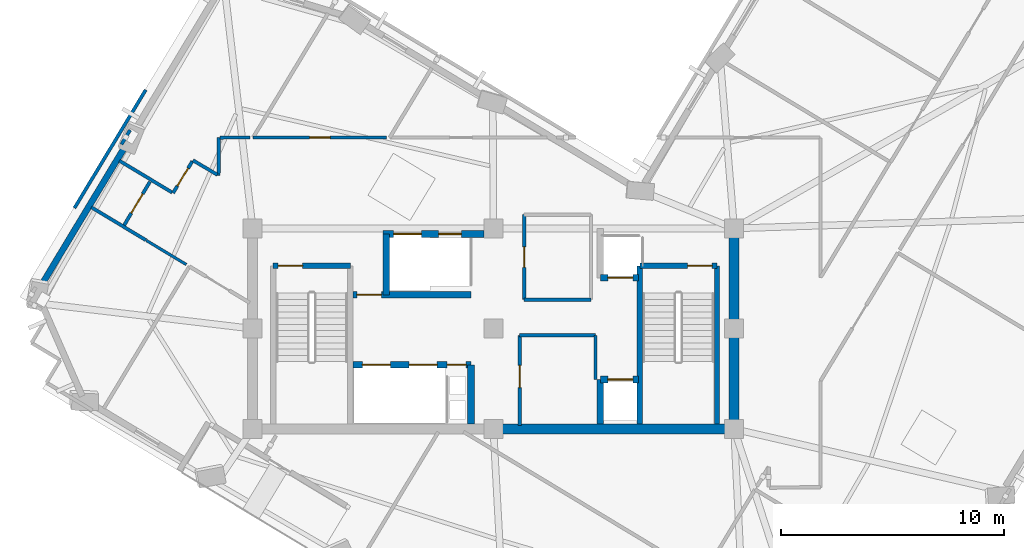
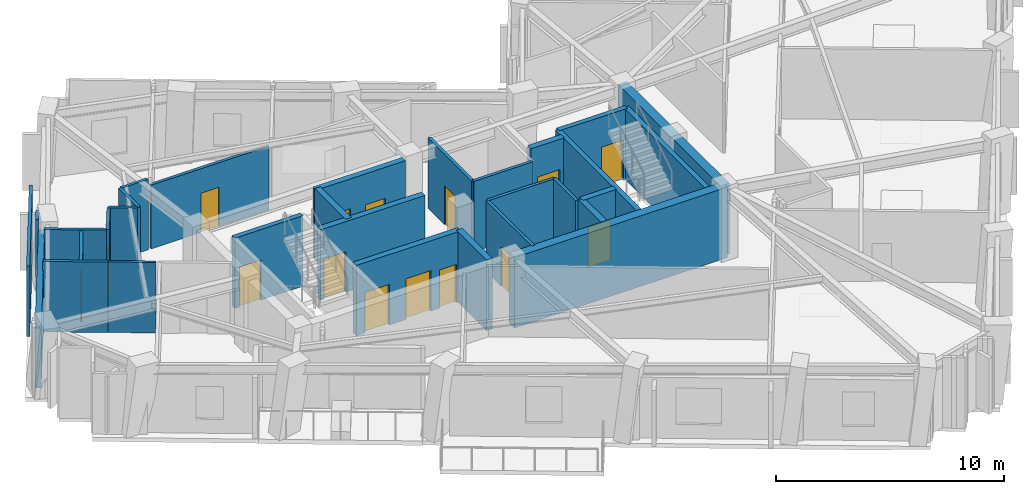
# One storey, part 5 of 12: 31 walls, 15 doors, 15 openings.
"""IFC4 building model written with IfcOpenShell, lengths in metres."""

from ifc_helpers import new_model, si_unit, direction, frame, frame_2d, origin, place, context, subcontext, project, spatial, rectangle, extrude, material, layer, layer_set, type_object, element, fill, save


model = new_model("IFC4")

# Units and contexts
model_context = context("Model", 3, precision=1e-05, world=origin(), true_north=direction((0.0, 1.0)))
body_context = subcontext(model_context, "Body", "Model", "MODEL_VIEW")
ifc_project = project(units=[si_unit("LENGTHUNIT", "METRE"), si_unit("AREAUNIT", "SQUARE_METRE"), si_unit("VOLUMEUNIT", "CUBIC_METRE"), si_unit("PLANEANGLEUNIT", "RADIAN"), si_unit("MASSUNIT", "GRAM", prefix="KILO")], contexts=[model_context])

# Site, building, storey
site_placement = place(None, origin())
site = spatial("IfcSite", under=ifc_project, at=site_placement, CompositionType="ELEMENT")
building_placement = place(site_placement, origin())
building = spatial("IfcBuilding", under=site, at=building_placement, Name="Gaonmaruhae Medical Tower", CompositionType="ELEMENT")
storey_placement = place(building_placement, frame((0.0, 0.0, 276.60009765625)))
storey = spatial("IfcBuildingStorey", under=building, at=storey_placement, Name="L66", CompositionType="ELEMENT", Elevation=276.60009765625)

# Walls
ifc_material_1 = material(Name="Concrete C50/60", Category="concrete")
ifc_layer_1 = layer(ifc_material_1, 0.449951171875)
ifc_layer_set_1 = layer_set([ifc_layer_1], Name="Concrete C50/60")
wall_type_1 = type_object("IfcWallType", Name="CW-450 Upper Core Shear Wall", PredefinedType="SHEAR", material=ifc_layer_set_1)
wall_1_placement = place(storey_placement, frame((24.800048828125, 7.800048828125, 0.0), z_axis=(0.0, 0.0, 1.0), x_axis=(1.0, 0.0, 0.0)))
element("IfcWall", 1, at=wall_1_placement, inside=storey, type_object=wall_type_1, Name="L66 Core Shear Wall CSW-S2", PredefinedType="SHEAR", context=body_context, shape_type="SweptSolid", body=[
    extrude(rectangle(XDim=10.800048828125, YDim=0.449951171875, at=frame_2d((5.39990234375, 0.0))), origin(), (0.0, 0.0, 1.0), 3.77978515625),
])
wall_2_placement = place(storey_placement, frame((35.60009765625, 7.800048828125, 0.0), z_axis=(0.0, 0.0, 1.0), x_axis=(0.0, 1.0, 0.0)))
element("IfcWall", 2, at=wall_2_placement, inside=storey, type_object=wall_type_1, Name="L66 Core Shear Wall CSW-E1", PredefinedType="SHEAR", context=body_context, shape_type="SweptSolid", body=[
    extrude(rectangle(XDim=9.0, YDim=0.449951171875, at=frame_2d((4.5, 0.0))), origin(), (0.0, 0.0, 1.0), 3.77978515625),
])
ifc_material_2 = material(Name="Precast concrete C45/55", Category="concrete")
ifc_layer_2 = layer(ifc_material_2, 0.280029296875)
ifc_layer_set_2 = layer_set([ifc_layer_2], Name="Precast concrete C45/55")
wall_type_2 = type_object("IfcWallType", Name="EW-280 Upper Precast Masonry-Frame Facade Wall", PredefinedType="SOLIDWALL", material=ifc_layer_set_2)
wall_3_placement = place(storey_placement, frame((4.41015625, 14.06640625, 0.0), z_axis=(0.0, 0.0, 1.0), x_axis=(0.516542521572, 0.856261539138, 0.0)))
element("IfcWall", 3, at=wall_3_placement, inside=storey, type_object=wall_type_2, Name="L66 Precast Masonry-Frame Wall N02-N03", PredefinedType="SOLIDWALL", context=body_context, shape_type="SweptSolid", body=[
    extrude(rectangle(XDim=7.48486328125, YDim=0.280029296875, at=frame_2d((3.742431640625, 0.0))), origin(), (0.0, 0.0, 1.0), 3.264892578125),
])
ifc_material_3 = material(Name="Gypsum board partition", Category="gypsum")
ifc_layer_3 = layer(ifc_material_3, 0.125)
ifc_layer_set_3 = layer_set([ifc_layer_3], Name="Gypsum board partition")
wall_type_3 = type_object("IfcWallType", Name="PW-125 Ward & En-Suite Acoustic Partition", PredefinedType="PARTITIONING", material=ifc_layer_set_3)
wall_4_placement = place(storey_placement, frame((9.22705078125, 16.261962890625, 0.0), z_axis=(0.0, 0.0, 1.0), x_axis=(0.856382731236, -0.516341570707, 0.0)))
element("IfcWall", 4, at=wall_4_placement, inside=storey, type_object=wall_type_3, Name="L66 Interior Partition L66-ENS01-52", PredefinedType="PARTITIONING", context=body_context, shape_type="SweptSolid", body=[
    extrude(rectangle(XDim=2.099365234375, YDim=0.125, at=frame_2d((1.0498046875, 0.0))), origin(), (0.0, 0.0, 1.0), 3.77978515625),
])

# Wall, opening, door
ifc_layer_4 = layer(ifc_material_3, 0.14990234375)
ifc_layer_set_4 = layer_set([ifc_layer_4], Name="Gypsum board partition")
wall_type_4 = type_object("IfcWallType", Name="PW-150 Rated Clinical Corridor Partition", PredefinedType="PARTITIONING", material=ifc_layer_set_4)
wall_5_placement = place(storey_placement, frame((25.97998046875, 7.9599609375, 0.0), z_axis=(0.0, 0.0, 1.0), x_axis=(0.0, 1.0, 0.0)))
wall_5 = element("IfcWall", 5, at=wall_5_placement, inside=storey, type_object=wall_type_4, Name="L66 Interior Partition L66-RCL1-1", PredefinedType="PARTITIONING", context=body_context, shape_type="SweptSolid", body=[
    extrude(rectangle(XDim=4.0400390625, YDim=0.14990234375, at=frame_2d((2.02001953125, 0.0))), origin(), (0.0, 0.0, 1.0), 3.77978515625),
])
opening_1_placement = place(wall_5_placement, frame((1.695068359375, 0.0, 0.0)))
opening_1 = element("IfcOpeningElement", 6, at=opening_1_placement, cuts=wall_5, Name="Opening CD-01", PredefinedType="OPENING", context=body_context, shape_type="SweptSolid", body=[
    extrude(rectangle(XDim=1.0, YDim=2.1201171875, at=frame_2d((0.5, 1.06005859375))), frame((0.0, 0.0849609375, 0.0), z_axis=(0.0, -1.0, 0.0), x_axis=(1.0, 0.0, 0.0)), (0.0, 0.0, 1.0), 0.169921875),
])
ifc_material_4 = material(Name="Antimicrobial laminate timber fire door", Category="wood")
door_type_1 = type_object("IfcDoorType", Name="CD-01 Consultation & Physician Office Door 1000x2120", OperationType="NOTDEFINED", PredefinedType="DOOR", material=ifc_material_4)
door_1_placement = place(opening_1_placement, origin())
door_1 = element("IfcDoor", 7, at=door_1_placement, inside=storey, type_object=door_type_1, Name="L66 Clinical Telemetry and Medication Room Door", OperationType="SINGLE_SWING_LEFT", OverallHeight=2.1201171875, OverallWidth=1.0, PredefinedType="DOOR", context=body_context, shape_type="SweptSolid", body=[
    extrude(rectangle(XDim=1.0, YDim=2.1201171875, at=frame_2d((0.5, 1.06005859375))), frame((0.0, 0.02490234375, 0.0), z_axis=(0.0, -1.0, 0.0), x_axis=(1.0, 0.0, 0.0)), (0.0, 0.0, 1.0), 0.050048828125),
])
fill(opening_1, door_1)

# Walls
wall_6_placement = place(storey_placement, frame((25.97998046875, 12.0, 0.0), z_axis=(0.0, 0.0, 1.0), x_axis=(1.0, 0.0, 0.0)))
element("IfcWall", 8, at=wall_6_placement, inside=storey, type_object=wall_type_4, Name="L66 Interior Partition L66-RCL1-2", PredefinedType="PARTITIONING", context=body_context, shape_type="SweptSolid", body=[
    extrude(rectangle(XDim=3.39990234375, YDim=0.14990234375, at=frame_2d((1.699951171875, 0.0))), origin(), (0.0, 0.0, 1.0), 3.77978515625),
])
wall_7_placement = place(storey_placement, frame((29.3798828125, 12.0, 0.0), z_axis=(0.0, 0.0, 1.0), x_axis=(0.0, -1.0, 0.0)))
element("IfcWall", 9, at=wall_7_placement, inside=storey, type_object=wall_type_4, Name="L66 Interior Partition L66-RCL1-3", PredefinedType="PARTITIONING", context=body_context, shape_type="SweptSolid", body=[
    extrude(rectangle(XDim=1.97998046875, YDim=0.14990234375, at=frame_2d((0.989990234375, 0.0))), origin(), (0.0, 0.0, 1.0), 3.77978515625),
])

# Wall, opening, door
wall_8_placement = place(storey_placement, frame((26.179931640625, 13.60009765625, 0.0), z_axis=(0.0, 0.0, 1.0), x_axis=(0.0, 1.0, 0.0)))
wall_8 = element("IfcWall", 10, at=wall_8_placement, inside=storey, type_object=wall_type_4, Name="L66 Interior Partition L66-RCL2-4", PredefinedType="PARTITIONING", context=body_context, shape_type="SweptSolid", body=[
    extrude(rectangle(XDim=3.81982421875, YDim=0.14990234375, at=frame_2d((1.909912109375, 0.0))), origin(), (0.0, 0.0, 1.0), 3.77978515625),
])
opening_2_placement = place(wall_8_placement, frame((1.449951171875, 0.0, 0.0)))
opening_2 = element("IfcOpeningElement", 11, at=opening_2_placement, cuts=wall_8, Name="Opening UD-01", PredefinedType="OPENING", context=body_context, shape_type="SweptSolid", body=[
    extrude(rectangle(XDim=0.919921875, YDim=2.10009765625, at=frame_2d((0.4599609375, 1.050048828125))), frame((0.0, 0.0849609375, 0.0), z_axis=(0.0, -1.0, 0.0), x_axis=(1.0, 0.0, 0.0)), (0.0, 0.0, 1.0), 0.169921875),
])
ifc_material_5 = material(Name="Powder-coated steel utility door", Category="steel")
door_type_2 = type_object("IfcDoorType", Name="UD-01 Toilet, Utility & Housekeeping Door 920x2100", OperationType="NOTDEFINED", PredefinedType="DOOR", material=ifc_material_5)
door_2_placement = place(opening_2_placement, origin())
door_2 = element("IfcDoor", 12, at=door_2_placement, inside=storey, type_object=door_type_2, Name="L66 Accessible Staff Toilet Door", OperationType="SINGLE_SWING_RIGHT", OverallHeight=2.10009765625, OverallWidth=0.919921875, PredefinedType="DOOR", context=body_context, shape_type="SweptSolid", body=[
    extrude(rectangle(XDim=0.919921875, YDim=2.10009765625, at=frame_2d((0.4599609375, 1.050048828125))), frame((0.0, 0.02490234375, 0.0), z_axis=(0.0, -1.0, 0.0), x_axis=(1.0, 0.0, 0.0)), (0.0, 0.0, 1.0), 0.050048828125),
])
fill(opening_2, door_2)

# Walls
wall_9_placement = place(storey_placement, frame((29.179931640625, 13.60009765625, 0.0), z_axis=(0.0, 0.0, 1.0), x_axis=(-1.0, 0.0, 0.0)))
element("IfcWall", 13, at=wall_9_placement, inside=storey, type_object=wall_type_4, Name="L66 Interior Partition L66-RCL2-7", PredefinedType="PARTITIONING", context=body_context, shape_type="SweptSolid", body=[
    extrude(rectangle(XDim=3.0, YDim=0.14990234375, at=frame_2d((1.5, 0.0))), origin(), (0.0, 0.0, 1.0), 3.77978515625),
])
wall_10_placement = place(storey_placement, frame((6.764892578125, 17.748046875, 0.0), z_axis=(0.0, 0.0, 1.0), x_axis=(0.856245690324, -0.516568792904, 0.0)))
element("IfcWall", 14, at=wall_10_placement, inside=storey, type_object=wall_type_4, Name="L66 Interior Partition L66-BR01-45", PredefinedType="PARTITIONING", context=body_context, shape_type="SweptSolid", body=[
    extrude(rectangle(XDim=2.85546875, YDim=0.14990234375, at=frame_2d((1.427734375, 0.0))), origin(), (0.0, 0.0, 1.0), 3.77978515625),
])

# Wall, opening, door
wall_11_placement = place(storey_placement, frame((20.011962890625, 20.8798828125, 0.0), z_axis=(0.0, 0.0, 1.0), x_axis=(-1.0, 0.0, 0.0)))
wall_11 = element("IfcWall", 15, at=wall_11_placement, inside=storey, type_object=wall_type_4, Name="L66 Interior Partition L66-IN02-64", PredefinedType="PARTITIONING", context=body_context, shape_type="SweptSolid", body=[
    extrude(rectangle(XDim=5.990966796875, YDim=0.14990234375, at=frame_2d((2.99560546875, 0.0))), origin(), (0.0, 0.0, 1.0), 3.414794921875),
])
opening_3_placement = place(wall_11_placement, frame((2.535400390625, 0.0, 0.0)))
opening_3 = element("IfcOpeningElement", 16, at=opening_3_placement, cuts=wall_11, Name="Opening UD-01", PredefinedType="OPENING", context=body_context, shape_type="SweptSolid", body=[
    extrude(rectangle(XDim=0.919921875, YDim=2.10009765625, at=frame_2d((0.4599609375, 1.050048828125))), frame((0.0, 0.0849609375, 0.0), z_axis=(0.0, -1.0, 0.0), x_axis=(1.0, 0.0, 0.0)), (0.0, 0.0, 1.0), 0.169921875),
])
door_3_placement = place(opening_3_placement, origin())
door_3 = element("IfcDoor", 17, at=door_3_placement, inside=storey, type_object=door_type_2, Name="L66 Ward Nutrition Pantry Door", OperationType="SINGLE_SWING_RIGHT", OverallHeight=2.10009765625, OverallWidth=0.919921875, PredefinedType="DOOR", context=body_context, shape_type="SweptSolid", body=[
    extrude(rectangle(XDim=0.919921875, YDim=2.10009765625, at=frame_2d((0.4599609375, 1.050048828125))), frame((0.0, 0.02490234375, 0.0), z_axis=(0.0, -1.0, 0.0), x_axis=(1.0, 0.0, 0.0)), (0.0, 0.0, 1.0), 0.050048828125),
])
fill(opening_3, door_3)

# Walls
wall_12_placement = place(storey_placement, frame((12.48291015625, 20.875, 0.0), z_axis=(0.0, 0.0, 1.0), x_axis=(-0.007615815916, -0.999970999253, 0.0)))
element("IfcWall", 18, at=wall_12_placement, inside=storey, type_object=wall_type_4, Name="L66 Interior Partition L66-IN03-68", PredefinedType="PARTITIONING", context=body_context, shape_type="SweptSolid", body=[
    extrude(rectangle(XDim=1.698974609375, YDim=0.14990234375, at=frame_2d((0.849609375, 0.0))), origin(), (0.0, 0.0, 1.0), 3.77978515625),
])
wall_13_placement = place(storey_placement, frame((12.419921875, 19.205078125, 0.0), z_axis=(0.0, 0.0, 1.0), x_axis=(-0.860397088121, 0.509624225046, 0.0)))
element("IfcWall", 19, at=wall_13_placement, inside=storey, type_object=wall_type_4, Name="L66 Interior Partition L66-IN03-69", PredefinedType="PARTITIONING", context=body_context, shape_type="SweptSolid", body=[
    extrude(rectangle(XDim=1.277099609375, YDim=0.14990234375, at=frame_2d((0.638671875, 0.0))), origin(), (0.0, 0.0, 1.0), 3.77978515625),
])

# Wall, opening, door
wall_14_placement = place(storey_placement, frame((11.294921875, 19.81298828125, 0.0), z_axis=(0.0, 0.0, 1.0), x_axis=(-0.520165097053, -0.854065730379, 0.0)))
wall_14 = element("IfcWall", 20, at=wall_14_placement, inside=storey, type_object=wall_type_4, Name="L66 Interior Partition L66-IN03-70", PredefinedType="PARTITIONING", context=body_context, shape_type="SweptSolid", body=[
    extrude(rectangle(XDim=1.66845703125, YDim=0.14990234375, at=frame_2d((0.834228515625, 0.0))), origin(), (0.0, 0.0, 1.0), 3.77978515625),
])
opening_4_placement = place(wall_14_placement, frame((0.374267578125, 0.0, 0.0)))
opening_4 = element("IfcOpeningElement", 21, at=opening_4_placement, cuts=wall_14, Name="Opening UD-01", PredefinedType="OPENING", context=body_context, shape_type="SweptSolid", body=[
    extrude(rectangle(XDim=0.919921875, YDim=2.10009765625, at=frame_2d((0.4599609375, 1.050048828125))), frame((0.0, 0.0849609375, 0.0), z_axis=(0.0, -1.0, 0.0), x_axis=(1.0, 0.0, 0.0)), (0.0, 0.0, 1.0), 0.169921875),
])
door_4_placement = place(opening_4_placement, origin())
door_4 = element("IfcDoor", 22, at=door_4_placement, inside=storey, type_object=door_type_2, Name="L66 Public Visitor Toilet Door", OperationType="SINGLE_SWING_LEFT", OverallHeight=2.10009765625, OverallWidth=0.919921875, PredefinedType="DOOR", context=body_context, shape_type="SweptSolid", body=[
    extrude(rectangle(XDim=0.919921875, YDim=2.10009765625, at=frame_2d((0.4599609375, 1.050048828125))), frame((0.0, 0.02490234375, 0.0), z_axis=(0.0, -1.0, 0.0), x_axis=(1.0, 0.0, 0.0)), (0.0, 0.0, 1.0), 0.050048828125),
])
fill(opening_4, door_4)

# Walls
wall_15_placement = place(storey_placement, frame((10.384033203125, 18.4140625, 0.0), z_axis=(0.0, 0.0, 1.0), x_axis=(-0.856466725224, 0.516202236128, 0.0)))
element("IfcWall", 23, at=wall_15_placement, inside=storey, type_object=wall_type_4, Name="L66 Interior Partition L66-IN03-71", PredefinedType="PARTITIONING", context=body_context, shape_type="SweptSolid", body=[
    extrude(rectangle(XDim=2.75439453125, YDim=0.14990234375, at=frame_2d((1.377197265625, 0.0))), origin(), (0.0, 0.0, 1.0), 3.77978515625),
])
wall_16_placement = place(storey_placement, frame((8.114013671875, 20.572998046875, 0.0), z_axis=(0.0, 0.0, 1.0), x_axis=(0.515553046822, 0.856857663742, 0.0)))
element("IfcWall", 24, at=wall_16_placement, inside=storey, type_object=wall_type_4, Name="L66 Interior Partition L66-IN03-72", PredefinedType="PARTITIONING", context=body_context, shape_type="SweptSolid", body=[
    extrude(rectangle(XDim=0.746826171875, YDim=0.14990234375, at=frame_2d((0.37353515625, 0.0))), origin(), (0.0, 0.0, 1.0), 3.77978515625),
])
wall_17_placement = place(storey_placement, frame((13.881103515625, 20.8798828125, 0.0), z_axis=(0.0, 0.0, 1.0), x_axis=(-0.999993441071, -0.003621852376, 0.0)))
element("IfcWall", 25, at=wall_17_placement, inside=storey, type_object=wall_type_4, Name="L66 Interior Partition L66-IN03-77", PredefinedType="PARTITIONING", context=body_context, shape_type="SweptSolid", body=[
    extrude(rectangle(XDim=1.34814453125, YDim=0.14990234375, at=frame_2d((0.674072265625, 0.0))), origin(), (0.0, 0.0, 1.0), 3.77978515625),
])

# Wall, opening, door
wall_18_placement = place(storey_placement, frame((9.39111328125, 18.89599609375, 0.0), z_axis=(0.0, 0.0, 1.0), x_axis=(-0.509769928001, -0.860310769726, 0.0)))
wall_18 = element("IfcWall", 26, at=wall_18_placement, inside=storey, type_object=wall_type_4, Name="L66 Interior Partition L66-RM02-79", PredefinedType="PARTITIONING", context=body_context, shape_type="SweptSolid", body=[
    extrude(rectangle(XDim=2.267822265625, YDim=0.14990234375, at=frame_2d((1.1337890625, 0.0))), origin(), (0.0, 0.0, 1.0), 3.77978515625),
])
opening_5_placement = place(wall_18_placement, frame((0.6337890625, 0.0, 0.0)))
opening_5 = element("IfcOpeningElement", 27, at=opening_5_placement, cuts=wall_18, Name="Opening CD-01", PredefinedType="OPENING", context=body_context, shape_type="SweptSolid", body=[
    extrude(rectangle(XDim=1.0, YDim=2.1201171875, at=frame_2d((0.5, 1.06005859375))), frame((0.0, 0.0849609375, 0.0), z_axis=(0.0, -1.0, 0.0), x_axis=(1.0, 0.0, 0.0)), (0.0, 0.0, 1.0), 0.169921875),
])
door_5_placement = place(opening_5_placement, origin())
door_5 = element("IfcDoor", 28, at=door_5_placement, inside=storey, type_object=door_type_1, Name="L66 Care Team Clinical Charting Office Door", OperationType="SINGLE_SWING_LEFT", OverallHeight=2.1201171875, OverallWidth=1.0, PredefinedType="DOOR", context=body_context, shape_type="SweptSolid", body=[
    extrude(rectangle(XDim=1.0, YDim=2.1201171875, at=frame_2d((0.5, 1.06005859375))), frame((0.0, 0.02490234375, 0.0), z_axis=(0.0, -1.0, 0.0), x_axis=(1.0, 0.0, 0.0)), (0.0, 0.0, 1.0), 0.050048828125),
])
fill(opening_5, door_5)

# Wall
wall_19_placement = place(storey_placement, frame((6.00390625, 17.716064453125, 0.0), z_axis=(0.0, 0.0, 1.0), x_axis=(0.51662857817, 0.856209619321, 0.0)))
element("IfcWall", 29, at=wall_19_placement, inside=storey, type_object=wall_type_4, Name="L66 Interior Partition L66-RM02-80", PredefinedType="PARTITIONING", context=body_context, shape_type="SweptSolid", body=[
    extrude(rectangle(XDim=6.190185546875, YDim=0.14990234375, at=frame_2d((3.09521484375, 0.0))), origin(), (0.0, 0.0, 1.0), 3.77978515625),
])

# Wall, opening, door
ifc_layer_5 = layer(ifc_material_1, 0.239990234375)
ifc_layer_set_5 = layer_set([ifc_layer_5], Name="Concrete C50/60")
wall_type_5 = type_object("IfcWallType", Name="SW-240 Dogleg Stair Tight Shaft Wall", PredefinedType="SOLIDWALL", material=ifc_layer_set_5)
wall_20_placement = place(storey_placement, frame((14.919921875, 15.1201171875, 0.0), z_axis=(0.0, 0.0, 1.0), x_axis=(1.0, 0.0, 0.0)))
wall_20 = element("IfcWall", 30, at=wall_20_placement, inside=storey, type_object=wall_type_5, Name="L66 ST-01 Stair Shaft Wall SHW-ST-01-N", PredefinedType="SOLIDWALL", context=body_context, shape_type="SweptSolid", body=[
    extrude(rectangle(XDim=3.4599609375, YDim=0.239990234375, at=frame_2d((1.72998046875, 0.0))), origin(), (0.0, 0.0, 1.0), 3.77978515625),
])
opening_6_placement = place(wall_20_placement, frame((0.219970703125, 0.0, 0.0)))
opening_6 = element("IfcOpeningElement", 31, at=opening_6_placement, cuts=wall_20, Name="Opening FD-01", PredefinedType="OPENING", context=body_context, shape_type="SweptSolid", body=[
    extrude(rectangle(XDim=1.10009765625, YDim=2.14990234375, at=frame_2d((0.550048828125, 1.074951171875))), frame((0.0, 0.1298828125, 0.0), z_axis=(0.0, -1.0, 0.0), x_axis=(1.0, 0.0, 0.0)), (0.0, 0.0, 1.0), 0.260009765625),
])
ifc_material_6 = material(Name="Powder-coated steel fire door", Category="steel")
door_type_3 = type_object("IfcDoorType", Name="FD-01 Escape Stair Protected Fire Door 1100x2150", OperationType="NOTDEFINED", PredefinedType="DOOR", material=ifc_material_6)
door_6_placement = place(opening_6_placement, origin())
door_6 = element("IfcDoor", 32, at=door_6_placement, inside=storey, type_object=door_type_3, Name="L66 ST-01 Protected Escape Stair Door", OperationType="SINGLE_SWING_LEFT", OverallHeight=2.14990234375, OverallWidth=1.10009765625, PredefinedType="DOOR", context=body_context, shape_type="SweptSolid", body=[
    extrude(rectangle(XDim=1.10009765625, YDim=2.14990234375, at=frame_2d((0.550048828125, 1.074951171875))), frame((0.0, 0.02490234375, 0.0), z_axis=(0.0, -1.0, 0.0), x_axis=(1.0, 0.0, 0.0)), (0.0, 0.0, 1.0), 0.050048828125),
])
fill(opening_6, door_6)

wall_21_placement = place(storey_placement, frame((31.3701171875, 15.1201171875, 0.0), z_axis=(0.0, 0.0, 1.0), x_axis=(1.0, 0.0, 0.0)))
wall_21 = element("IfcWall", 33, at=wall_21_placement, inside=storey, type_object=wall_type_5, Name="L66 ST-02 Stair Shaft Wall SHW-ST-02-N", PredefinedType="SOLIDWALL", context=body_context, shape_type="SweptSolid", body=[
    extrude(rectangle(XDim=3.4599609375, YDim=0.239990234375, at=frame_2d((1.72998046875, 0.0))), origin(), (0.0, 0.0, 1.0), 3.77978515625),
])
opening_7_placement = place(wall_21_placement, frame((2.139892578125, 0.0, 0.0)))
opening_7 = element("IfcOpeningElement", 34, at=opening_7_placement, cuts=wall_21, Name="Opening FD-01", PredefinedType="OPENING", context=body_context, shape_type="SweptSolid", body=[
    extrude(rectangle(XDim=1.10009765625, YDim=2.14990234375, at=frame_2d((0.550048828125, 1.074951171875))), frame((0.0, 0.1298828125, 0.0), z_axis=(0.0, -1.0, 0.0), x_axis=(1.0, 0.0, 0.0)), (0.0, 0.0, 1.0), 0.260009765625),
])
door_7_placement = place(opening_7_placement, origin())
door_7 = element("IfcDoor", 35, at=door_7_placement, inside=storey, type_object=door_type_3, Name="L66 ST-02 Protected Escape Stair Door", OperationType="SINGLE_SWING_RIGHT", OverallHeight=2.14990234375, OverallWidth=1.10009765625, PredefinedType="DOOR", context=body_context, shape_type="SweptSolid", body=[
    extrude(rectangle(XDim=1.10009765625, YDim=2.14990234375, at=frame_2d((0.550048828125, 1.074951171875))), frame((0.0, 0.02490234375, 0.0), z_axis=(0.0, -1.0, 0.0), x_axis=(1.0, 0.0, 0.0)), (0.0, 0.0, 1.0), 0.050048828125),
])
fill(opening_7, door_7)

# Walls
for number, where, z_axis, x_axis, name in (
    (36, (34.830078125, 15.1201171875, 0.0), (0.0, 0.0, 1.0), (0.0, -1.0, 0.0), "L66 ST-02 Stair Shaft Wall SHW-ST-02-E"),
    (37, (31.3701171875, 8.02490234375, 0.0), (0.0, 0.0, 1.0), (0.0, 1.0, 0.0), "L66 ST-02 Stair Shaft Wall SHW-ST-02-W"),
):
    element("IfcWall", number, at=place(storey_placement, frame(where, z_axis=z_axis, x_axis=x_axis)), inside=storey, type_object=wall_type_5, Name=name, PredefinedType="SOLIDWALL", context=body_context, shape_type="SweptSolid", body=[
        extrude(rectangle(XDim=7.09521484375, YDim=0.239990234375, at=frame_2d((3.547607421875, 0.0))), origin(), (0.0, 0.0, 1.0), 3.77978515625),
    ])

# Wall, openings, doors
ifc_layer_6 = layer(ifc_material_1, 0.300048828125)
ifc_layer_set_6 = layer_set([ifc_layer_6], Name="Concrete C50/60")
wall_type_6 = type_object("IfcWallType", Name="SW-300 Stair & Lift Hoistway Shaft Wall", PredefinedType="SOLIDWALL", material=ifc_layer_set_6)
wall_22_placement = place(storey_placement, frame((19.85009765625, 16.550048828125, 0.0), z_axis=(0.0, 0.0, 1.0), x_axis=(1.0, 0.0, 0.0)))
wall_22 = element("IfcWall", 38, at=wall_22_placement, inside=storey, type_object=wall_type_6, Name="L66 Core Shear Wall CSW-NB", PredefinedType="SOLIDWALL", context=body_context, shape_type="SweptSolid", body=[
    extrude(rectangle(XDim=4.52490234375, YDim=0.300048828125, at=frame_2d((2.262451171875, 0.0))), origin(), (0.0, 0.0, 1.0), 3.77978515625),
])
opening_8_placement = place(wall_22_placement, frame((0.47509765625, 0.0, 0.0)))
opening_8 = element("IfcOpeningElement", 39, at=opening_8_placement, cuts=wall_22, Name="Opening LD-F1", PredefinedType="OPENING", context=body_context, shape_type="SweptSolid", body=[
    extrude(rectangle(XDim=1.25, YDim=2.179931640625, at=frame_2d((0.625, 1.08984375))), frame((0.0, 0.16015625, 0.0), z_axis=(0.0, -1.0, 0.0), x_axis=(1.0, 0.0, 0.0)), (0.0, 0.0, 1.0), 0.320068359375),
])
opening_9_placement = place(wall_22_placement, frame((2.489990234375, 0.0, 0.0)))
opening_9 = element("IfcOpeningElement", 40, at=opening_9_placement, cuts=wall_22, Name="Opening LD-S1", PredefinedType="OPENING", context=body_context, shape_type="SweptSolid", body=[
    extrude(rectangle(XDim=1.02001953125, YDim=2.1201171875, at=frame_2d((0.510009765625, 1.06005859375))), frame((0.0, 0.16015625, 0.0), z_axis=(0.0, -1.0, 0.0), x_axis=(1.0, 0.0, 0.0)), (0.0, 0.0, 1.0), 0.320068359375),
])
ifc_material_7 = material(Name="Brushed stainless steel 316L landing door", Category="steel")
door_type_4 = type_object("IfcDoorType", Name="LD-F1 Firefighting & Bed Lift Sliding Landing Door 1250x2180", OperationType="NOTDEFINED", PredefinedType="DOOR", material=ifc_material_7)
door_8_placement = place(opening_8_placement, origin())
door_8 = element("IfcDoor", 41, at=door_8_placement, inside=storey, type_object=door_type_4, Name="L66 Service/Bed Lift Landing Door BDL-01", OperationType="DOUBLE_DOOR_SLIDING", OverallHeight=2.179931640625, OverallWidth=1.25, PredefinedType="DOOR", context=body_context, shape_type="SweptSolid", body=[
    extrude(rectangle(XDim=1.25, YDim=2.179931640625, at=frame_2d((0.625, 1.08984375))), frame((0.0, 0.02490234375, 0.0), z_axis=(0.0, -1.0, 0.0), x_axis=(1.0, 0.0, 0.0)), (0.0, 0.0, 1.0), 0.050048828125),
])
fill(opening_8, door_8)
ifc_material_8 = material(Name="Brushed stainless steel 304 landing door", Category="steel")
door_type_5 = type_object("IfcDoorType", Name="LD-S1 Service Lift Sliding Landing Door 1020x2120", OperationType="NOTDEFINED", PredefinedType="DOOR", material=ifc_material_8)
door_9_placement = place(opening_9_placement, origin())
door_9 = element("IfcDoor", 42, at=door_9_placement, inside=storey, type_object=door_type_5, Name="L66 Service/Bed Lift Landing Door SVL-01", OperationType="SLIDING_TO_LEFT", OverallHeight=2.1201171875, OverallWidth=1.02001953125, PredefinedType="DOOR", context=body_context, shape_type="SweptSolid", body=[
    extrude(rectangle(XDim=1.02001953125, YDim=2.1201171875, at=frame_2d((0.510009765625, 1.06005859375))), frame((0.0, 0.02490234375, 0.0), z_axis=(0.0, -1.0, 0.0), x_axis=(1.0, 0.0, 0.0)), (0.0, 0.0, 1.0), 0.050048828125),
])
fill(opening_9, door_9)

wall_23_placement = place(storey_placement, frame((18.5, 10.679931640625, 0.0), z_axis=(0.0, 0.0, 1.0), x_axis=(1.0, 0.0, 0.0)))
wall_23 = element("IfcWall", 43, at=wall_23_placement, inside=storey, type_object=wall_type_6, Name="L66 Shaft Enclosure Wall SHW-FFN", PredefinedType="SOLIDWALL", context=body_context, shape_type="SweptSolid", body=[
    extrude(rectangle(XDim=5.300048828125, YDim=0.300048828125, at=frame_2d((2.64990234375, 0.0))), origin(), (0.0, 0.0, 1.0), 3.77978515625),
])
opening_10_placement = place(wall_23_placement, frame((4.219970703125, 0.0, 0.0)))
opening_10 = element("IfcOpeningElement", 44, at=opening_10_placement, cuts=wall_23, Name="Opening AD-01", PredefinedType="OPENING", context=body_context, shape_type="SweptSolid", body=[
    extrude(rectangle(XDim=0.860107421875, YDim=2.06005859375, at=frame_2d((0.43017578125, 1.030029296875))), frame((0.0, 0.16015625, 0.0), z_axis=(0.0, -1.0, 0.0), x_axis=(1.0, 0.0, 0.0)), (0.0, 0.0, 1.0), 0.320068359375),
])
opening_11_placement = place(wall_23_placement, frame((0.425048828125, 0.0, 0.0)))
opening_11 = element("IfcOpeningElement", 45, at=opening_11_placement, cuts=wall_23, Name="Opening LD-F1", PredefinedType="OPENING", context=body_context, shape_type="SweptSolid", body=[
    extrude(rectangle(XDim=1.25, YDim=2.179931640625, at=frame_2d((0.625, 1.08984375))), frame((0.0, 0.16015625, 0.0), z_axis=(0.0, -1.0, 0.0), x_axis=(1.0, 0.0, 0.0)), (0.0, 0.0, 1.0), 0.320068359375),
])
opening_12_placement = place(wall_23_placement, frame((2.52490234375, 0.0, 0.0)))
opening_12 = element("IfcOpeningElement", 46, at=opening_12_placement, cuts=wall_23, Name="Opening LD-F1", PredefinedType="OPENING", context=body_context, shape_type="SweptSolid", body=[
    extrude(rectangle(XDim=1.25, YDim=2.179931640625, at=frame_2d((0.625, 1.08984375))), frame((0.0, 0.16015625, 0.0), z_axis=(0.0, -1.0, 0.0), x_axis=(1.0, 0.0, 0.0)), (0.0, 0.0, 1.0), 0.320068359375),
])
ifc_material_9 = material(Name="Powder-coated steel access door", Category="steel")
door_type_6 = type_object("IfcDoorType", Name="AD-01 Riser & Closet Access Fire Door 860x2060", OperationType="NOTDEFINED", PredefinedType="DOOR", material=ifc_material_9)
door_10_placement = place(opening_10_placement, origin())
door_10 = element("IfcDoor", 47, at=door_10_placement, inside=storey, type_object=door_type_6, Name="L66 Medical Gas and MEP Riser Access Door", OperationType="SINGLE_SWING_RIGHT", OverallHeight=2.06005859375, OverallWidth=0.860107421875, PredefinedType="DOOR", context=body_context, shape_type="SweptSolid", body=[
    extrude(rectangle(XDim=0.860107421875, YDim=2.06005859375, at=frame_2d((0.43017578125, 1.030029296875))), frame((0.0, 0.02490234375, 0.0), z_axis=(0.0, -1.0, 0.0), x_axis=(1.0, 0.0, 0.0)), (0.0, 0.0, 1.0), 0.050048828125),
])
fill(opening_10, door_10)
door_11_placement = place(opening_11_placement, origin())
door_11 = element("IfcDoor", 48, at=door_11_placement, inside=storey, type_object=door_type_4, Name="L66 Firefighting Lift Landing Door FFL-01", OperationType="DOUBLE_DOOR_SLIDING", OverallHeight=2.179931640625, OverallWidth=1.25, PredefinedType="DOOR", context=body_context, shape_type="SweptSolid", body=[
    extrude(rectangle(XDim=1.25, YDim=2.179931640625, at=frame_2d((0.625, 1.08984375))), frame((0.0, 0.02490234375, 0.0), z_axis=(0.0, -1.0, 0.0), x_axis=(1.0, 0.0, 0.0)), (0.0, 0.0, 1.0), 0.050048828125),
])
fill(opening_11, door_11)
door_12_placement = place(opening_12_placement, origin())
door_12 = element("IfcDoor", 49, at=door_12_placement, inside=storey, type_object=door_type_4, Name="L66 Firefighting Lift Landing Door FFL-02", OperationType="DOUBLE_DOOR_SLIDING", OverallHeight=2.179931640625, OverallWidth=1.25, PredefinedType="DOOR", context=body_context, shape_type="SweptSolid", body=[
    extrude(rectangle(XDim=1.25, YDim=2.179931640625, at=frame_2d((0.625, 1.08984375))), frame((0.0, 0.02490234375, 0.0), z_axis=(0.0, -1.0, 0.0), x_axis=(1.0, 0.0, 0.0)), (0.0, 0.0, 1.0), 0.050048828125),
])
fill(opening_12, door_12)

# Wall, opening, door
wall_24_placement = place(storey_placement, frame((18.5, 13.820068359375, 0.0), z_axis=(0.0, 0.0, 1.0), x_axis=(1.0, 0.0, 0.0)))
wall_24 = element("IfcWall", 50, at=wall_24_placement, inside=storey, type_object=wall_type_6, Name="L66 Shaft Enclosure Wall SHW-FFL", PredefinedType="SOLIDWALL", context=body_context, shape_type="SweptSolid", body=[
    extrude(rectangle(XDim=5.300048828125, YDim=0.300048828125, at=frame_2d((2.64990234375, 0.0))), origin(), (0.0, 0.0, 1.0), 3.77978515625),
])
opening_13_placement = place(wall_24_placement, frame((0.179931640625, 0.0, 0.0)))
opening_13 = element("IfcOpeningElement", 51, at=opening_13_placement, cuts=wall_24, Name="Opening FD-01", PredefinedType="OPENING", context=body_context, shape_type="SweptSolid", body=[
    extrude(rectangle(XDim=1.10009765625, YDim=2.14990234375, at=frame_2d((0.550048828125, 1.074951171875))), frame((0.0, 0.16015625, 0.0), z_axis=(0.0, -1.0, 0.0), x_axis=(1.0, 0.0, 0.0)), (0.0, 0.0, 1.0), 0.320068359375),
])
door_13_placement = place(opening_13_placement, origin())
door_13 = element("IfcDoor", 52, at=door_13_placement, inside=storey, type_object=door_type_3, Name="L66 Firefighting Lobby Smoke Door", OperationType="SINGLE_SWING_LEFT", OverallHeight=2.14990234375, OverallWidth=1.10009765625, PredefinedType="DOOR", context=body_context, shape_type="SweptSolid", body=[
    extrude(rectangle(XDim=1.10009765625, YDim=2.14990234375, at=frame_2d((0.550048828125, 1.074951171875))), frame((0.0, 0.02490234375, 0.0), z_axis=(0.0, -1.0, 0.0), x_axis=(1.0, 0.0, 0.0)), (0.0, 0.0, 1.0), 0.050048828125),
])
fill(opening_13, door_13)

# Walls
wall_25_placement = place(storey_placement, frame((23.800048828125, 8.02490234375, 0.0), z_axis=(0.0, 0.0, 1.0), x_axis=(0.0, 1.0, 0.0)))
element("IfcWall", 53, at=wall_25_placement, inside=storey, type_object=wall_type_6, Name="L66 Shaft Enclosure Wall SHW-FFE", PredefinedType="SOLIDWALL", context=body_context, shape_type="SweptSolid", body=[
    extrude(rectangle(XDim=2.655029296875, YDim=0.300048828125, at=frame_2d((1.32763671875, 0.0))), origin(), (0.0, 0.0, 1.0), 3.77978515625),
])
wall_26_placement = place(storey_placement, frame((20.0, 13.820068359375, 0.0), z_axis=(0.0, 0.0, 1.0), x_axis=(0.0, 1.0, 0.0)))
element("IfcWall", 54, at=wall_26_placement, inside=storey, type_object=wall_type_6, Name="L66 Shaft Enclosure Wall SHW-BDW", PredefinedType="SOLIDWALL", context=body_context, shape_type="SweptSolid", body=[
    extrude(rectangle(XDim=2.72998046875, YDim=0.300048828125, at=frame_2d((1.364990234375, 0.0))), origin(), (0.0, 0.0, 1.0), 3.77978515625),
])

# Wall, opening, door
wall_27_placement = place(storey_placement, frame((29.60009765625, 10.02001953125, 0.0), z_axis=(0.0, 0.0, 1.0), x_axis=(1.0, 0.0, 0.0)))
wall_27 = element("IfcWall", 55, at=wall_27_placement, inside=storey, type_object=wall_type_6, Name="L66 Shaft Enclosure Wall SHW-PLS", PredefinedType="SOLIDWALL", context=body_context, shape_type="SweptSolid", body=[
    extrude(rectangle(XDim=1.699951171875, YDim=0.300048828125, at=frame_2d((0.85009765625, 0.0))), origin(), (0.0, 0.0, 1.0), 3.77978515625),
])
opening_14_placement = place(wall_27_placement, frame((0.340087890625, 0.0, 0.0)))
opening_14 = element("IfcOpeningElement", 56, at=opening_14_placement, cuts=wall_27, Name="Opening LD-P1", PredefinedType="OPENING", context=body_context, shape_type="SweptSolid", body=[
    extrude(rectangle(XDim=1.1201171875, YDim=2.14990234375, at=frame_2d((0.56005859375, 1.074951171875))), frame((0.0, 0.16015625, 0.0), z_axis=(0.0, -1.0, 0.0), x_axis=(1.0, 0.0, 0.0)), (0.0, 0.0, 1.0), 0.320068359375),
])
door_type_7 = type_object("IfcDoorType", Name="LD-P1 Passenger Lift Sliding Landing Door 1120x2150", OperationType="NOTDEFINED", PredefinedType="DOOR", material=ifc_material_8)
door_14_placement = place(opening_14_placement, origin())
door_14 = element("IfcDoor", 57, at=door_14_placement, inside=storey, type_object=door_type_7, Name="L66 Passenger Lift Landing Door PL-H1", OperationType="DOUBLE_DOOR_SLIDING", OverallHeight=2.14990234375, OverallWidth=1.1201171875, PredefinedType="DOOR", context=body_context, shape_type="SweptSolid", body=[
    extrude(rectangle(XDim=1.1201171875, YDim=2.14990234375, at=frame_2d((0.56005859375, 1.074951171875))), frame((0.0, 0.02490234375, 0.0), z_axis=(0.0, -1.0, 0.0), x_axis=(1.0, 0.0, 0.0)), (0.0, 0.0, 1.0), 0.050048828125),
])
fill(opening_14, door_14)

# Wall
wall_28_placement = place(storey_placement, frame((29.60009765625, 8.02490234375, 0.0), z_axis=(0.0, 0.0, 1.0), x_axis=(0.0, 1.0, 0.0)))
element("IfcWall", 58, at=wall_28_placement, inside=storey, type_object=wall_type_6, Name="L66 Shaft Enclosure Wall SHW-PLD1", PredefinedType="SOLIDWALL", context=body_context, shape_type="SweptSolid", body=[
    extrude(rectangle(XDim=1.9951171875, YDim=0.300048828125, at=frame_2d((0.99755859375, 0.0))), origin(), (0.0, 0.0, 1.0), 3.77978515625),
])

# Wall, opening, door
wall_29_placement = place(storey_placement, frame((29.60009765625, 14.580078125, 0.0), z_axis=(0.0, 0.0, 1.0), x_axis=(1.0, 0.0, 0.0)))
wall_29 = element("IfcWall", 59, at=wall_29_placement, inside=storey, type_object=wall_type_6, Name="L66 Shaft Enclosure Wall SHW-PLN", PredefinedType="SOLIDWALL", context=body_context, shape_type="SweptSolid", body=[
    extrude(rectangle(XDim=1.699951171875, YDim=0.300048828125, at=frame_2d((0.85009765625, 0.0))), origin(), (0.0, 0.0, 1.0), 3.77978515625),
])
opening_15_placement = place(wall_29_placement, frame((0.340087890625, 0.0, 0.0)))
opening_15 = element("IfcOpeningElement", 60, at=opening_15_placement, cuts=wall_29, Name="Opening LD-P1", PredefinedType="OPENING", context=body_context, shape_type="SweptSolid", body=[
    extrude(rectangle(XDim=1.1201171875, YDim=2.14990234375, at=frame_2d((0.56005859375, 1.074951171875))), frame((0.0, 0.16015625, 0.0), z_axis=(0.0, -1.0, 0.0), x_axis=(1.0, 0.0, 0.0)), (0.0, 0.0, 1.0), 0.320068359375),
])
door_15_placement = place(opening_15_placement, origin())
door_15 = element("IfcDoor", 61, at=door_15_placement, inside=storey, type_object=door_type_7, Name="L66 Passenger Lift Landing Door PL-H2", OperationType="DOUBLE_DOOR_SLIDING", OverallHeight=2.14990234375, OverallWidth=1.1201171875, PredefinedType="DOOR", context=body_context, shape_type="SweptSolid", body=[
    extrude(rectangle(XDim=1.1201171875, YDim=2.14990234375, at=frame_2d((0.56005859375, 1.074951171875))), frame((0.0, 0.02490234375, 0.0), z_axis=(0.0, -1.0, 0.0), x_axis=(1.0, 0.0, 0.0)), (0.0, 0.0, 1.0), 0.050048828125),
])
fill(opening_15, door_15)

save(model, "model.ifc")
